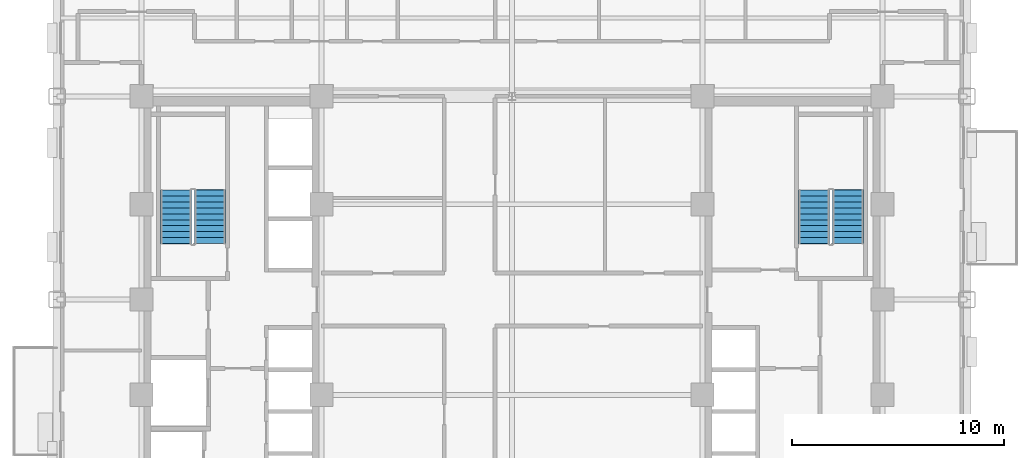
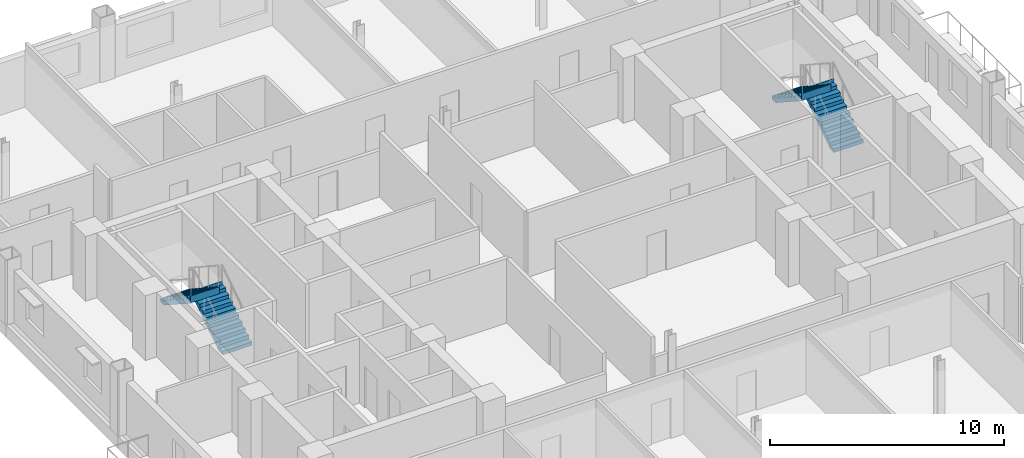
# One storey, part 10 of 14: 4 stair flights, 2 elements without a shape of their own.
"""IFC4 building model written with IfcOpenShell, lengths in metres."""

from ifc_helpers import new_model, si_unit, direction, frame, origin, place, context, subcontext, project, spatial, polyline, outline, extrude, material, type_object, element, aggregate, save


model = new_model("IFC4")

# Units and contexts
model_context = context("Model", 3, precision=1e-05, world=origin(), true_north=direction((0.0, 1.0)))
body_context = subcontext(model_context, "Body", "Model", "MODEL_VIEW")
ifc_project = project(units=[si_unit("LENGTHUNIT", "METRE"), si_unit("AREAUNIT", "SQUARE_METRE"), si_unit("VOLUMEUNIT", "CUBIC_METRE"), si_unit("PLANEANGLEUNIT", "RADIAN"), si_unit("MASSUNIT", "GRAM", prefix="KILO")], contexts=[model_context])

# Site, building, storey
site_placement = place(None, origin())
site = spatial("IfcSite", under=ifc_project, at=site_placement, CompositionType="ELEMENT")
building_placement = place(site_placement, origin())
building = spatial("IfcBuilding", under=site, at=building_placement, Name="Nuvemarco Arch Tower", CompositionType="ELEMENT")
storey_placement = place(building_placement, frame((0.0, 0.0, 75.050048828125)))
storey = spatial("IfcBuildingStorey", under=building, at=storey_placement, Name="L19", CompositionType="ELEMENT", Elevation=75.050048828125)

# Stair, stair flights
ifc_material = material(Name="Precast concrete C45/55", Category="concrete")
stair_type = type_object("IfcStairType", Name="ST-CORE-20R", PredefinedType="HALF_TURN_STAIR", material=ifc_material)
stair_1_placement = place(storey_placement, origin())
stair_1 = element("IfcStair", 1, at=stair_1_placement, inside=storey, type_object=stair_type, Name="L19 Protected Exit Stair ST-1", PredefinedType="HALF_TURN_STAIR")
stair_flight_type = type_object("IfcStairFlightType", Name="SF-CORE-20R", PredefinedType="STRAIGHT", material=ifc_material)
stair_flight_1_placement = place(storey_placement, frame((-14.264892578125, 2.64990234375, 0.0), z_axis=(0.0, 0.0, 1.0), x_axis=(0.0, 1.0, 0.0)))
stair_flight_1 = element("IfcStairFlight", 2, at=stair_flight_1_placement, type_object=stair_flight_type, Name="ST-20R flight 1", NumberOfRisers=10, NumberOfTreads=9, PredefinedType="STRAIGHT", RiserHeight=0.1825, TreadLength=0.28, context=body_context, shape_type="SweptSolid", body=[
    extrude(outline(polyline([(0.0, 0.0), (0.0, 0.1826171875), (0.280029296875, 0.1826171875), (0.280029296875, 0.364990234375), (0.56005859375, 0.364990234375), (0.56005859375, 0.547607421875), (0.840087890625, 0.547607421875), (0.840087890625, 0.72998046875), (1.1201171875, 0.72998046875), (1.1201171875, 0.91259765625), (1.39990234375, 0.91259765625), (1.39990234375, 1.094970703125), (1.679931640625, 1.094970703125), (1.679931640625, 1.277587890625), (1.9599609375, 1.277587890625), (1.9599609375, 1.4599609375), (2.239990234375, 1.4599609375), (2.239990234375, 1.642578125), (2.52001953125, 1.642578125), (2.52001953125, 1.824951171875), (2.5400390625, 1.824951171875), (2.5400390625, 1.45166015625), (0.312744140625, 0.0), (0.0, 0.0)])), frame((0.0, 0.72509765625, 0.0), z_axis=(0.0, -1.0, 0.0), x_axis=(1.0, 0.0, 0.0)), (0.0, 0.0, 1.0), 1.449951171875),
])
stair_flight_2_placement = place(storey_placement, frame((-15.875, 5.169921875, 1.824951171875), z_axis=(0.0, 0.0, 1.0), x_axis=(0.0, -1.0, 0.0)))
stair_flight_2 = element("IfcStairFlight", 3, at=stair_flight_2_placement, type_object=stair_flight_type, Name="ST-20R flight 2", NumberOfRisers=10, NumberOfTreads=9, PredefinedType="STRAIGHT", RiserHeight=0.1825, TreadLength=0.28, context=body_context, shape_type="SweptSolid", body=[
    extrude(outline(polyline([(0.0, 0.0), (0.0, 0.1826171875), (0.280029296875, 0.1826171875), (0.280029296875, 0.364990234375), (0.56005859375, 0.364990234375), (0.56005859375, 0.547607421875), (0.840087890625, 0.547607421875), (0.840087890625, 0.72998046875), (1.1201171875, 0.72998046875), (1.1201171875, 0.91259765625), (1.39990234375, 0.91259765625), (1.39990234375, 1.094970703125), (1.679931640625, 1.094970703125), (1.679931640625, 1.277587890625), (1.9599609375, 1.277587890625), (1.9599609375, 1.4599609375), (2.239990234375, 1.4599609375), (2.239990234375, 1.642578125), (2.52001953125, 1.642578125), (2.52001953125, 1.824951171875), (2.5400390625, 1.824951171875), (2.5400390625, 1.45166015625), (0.312744140625, 0.0), (0.0, 0.0)])), frame((0.0, 0.72509765625, 0.0), z_axis=(0.0, -1.0, 0.0), x_axis=(1.0, 0.0, 0.0)), (0.0, 0.0, 1.0), 1.449951171875),
])
aggregate(stair_1, [stair_flight_1, stair_flight_2])

stair_2_placement = place(storey_placement, origin())
stair_2 = element("IfcStair", 4, at=stair_2_placement, inside=storey, type_object=stair_type, Name="L19 Protected Exit Stair ST-2", PredefinedType="HALF_TURN_STAIR")
stair_flight_3_placement = place(storey_placement, frame((15.875, 2.64990234375, 0.0), z_axis=(0.0, 0.0, 1.0), x_axis=(0.0, 1.0, 0.0)))
stair_flight_3 = element("IfcStairFlight", 5, at=stair_flight_3_placement, type_object=stair_flight_type, Name="ST-20R flight 1", NumberOfRisers=10, NumberOfTreads=9, PredefinedType="STRAIGHT", RiserHeight=0.1825, TreadLength=0.28, context=body_context, shape_type="SweptSolid", body=[
    extrude(outline(polyline([(0.0, 0.0), (0.0, 0.1826171875), (0.280029296875, 0.1826171875), (0.280029296875, 0.364990234375), (0.56005859375, 0.364990234375), (0.56005859375, 0.547607421875), (0.840087890625, 0.547607421875), (0.840087890625, 0.72998046875), (1.1201171875, 0.72998046875), (1.1201171875, 0.91259765625), (1.39990234375, 0.91259765625), (1.39990234375, 1.094970703125), (1.679931640625, 1.094970703125), (1.679931640625, 1.277587890625), (1.9599609375, 1.277587890625), (1.9599609375, 1.4599609375), (2.239990234375, 1.4599609375), (2.239990234375, 1.642578125), (2.52001953125, 1.642578125), (2.52001953125, 1.824951171875), (2.5400390625, 1.824951171875), (2.5400390625, 1.45166015625), (0.312744140625, 0.0), (0.0, 0.0)])), frame((0.0, 0.72509765625, 0.0), z_axis=(0.0, -1.0, 0.0), x_axis=(1.0, 0.0, 0.0)), (0.0, 0.0, 1.0), 1.449951171875),
])
stair_flight_4_placement = place(storey_placement, frame((14.264892578125, 5.169921875, 1.824951171875), z_axis=(0.0, 0.0, 1.0), x_axis=(0.0, -1.0, 0.0)))
stair_flight_4 = element("IfcStairFlight", 6, at=stair_flight_4_placement, type_object=stair_flight_type, Name="ST-20R flight 2", NumberOfRisers=10, NumberOfTreads=9, PredefinedType="STRAIGHT", RiserHeight=0.1825, TreadLength=0.28, context=body_context, shape_type="SweptSolid", body=[
    extrude(outline(polyline([(0.0, 0.0), (0.0, 0.1826171875), (0.280029296875, 0.1826171875), (0.280029296875, 0.364990234375), (0.56005859375, 0.364990234375), (0.56005859375, 0.547607421875), (0.840087890625, 0.547607421875), (0.840087890625, 0.72998046875), (1.1201171875, 0.72998046875), (1.1201171875, 0.91259765625), (1.39990234375, 0.91259765625), (1.39990234375, 1.094970703125), (1.679931640625, 1.094970703125), (1.679931640625, 1.277587890625), (1.9599609375, 1.277587890625), (1.9599609375, 1.4599609375), (2.239990234375, 1.4599609375), (2.239990234375, 1.642578125), (2.52001953125, 1.642578125), (2.52001953125, 1.824951171875), (2.5400390625, 1.824951171875), (2.5400390625, 1.45166015625), (0.312744140625, 0.0), (0.0, 0.0)])), frame((0.0, 0.72509765625, 0.0), z_axis=(0.0, -1.0, 0.0), x_axis=(1.0, 0.0, 0.0)), (0.0, 0.0, 1.0), 1.449951171875),
])
aggregate(stair_2, [stair_flight_3, stair_flight_4])

save(model, "model.ifc")
